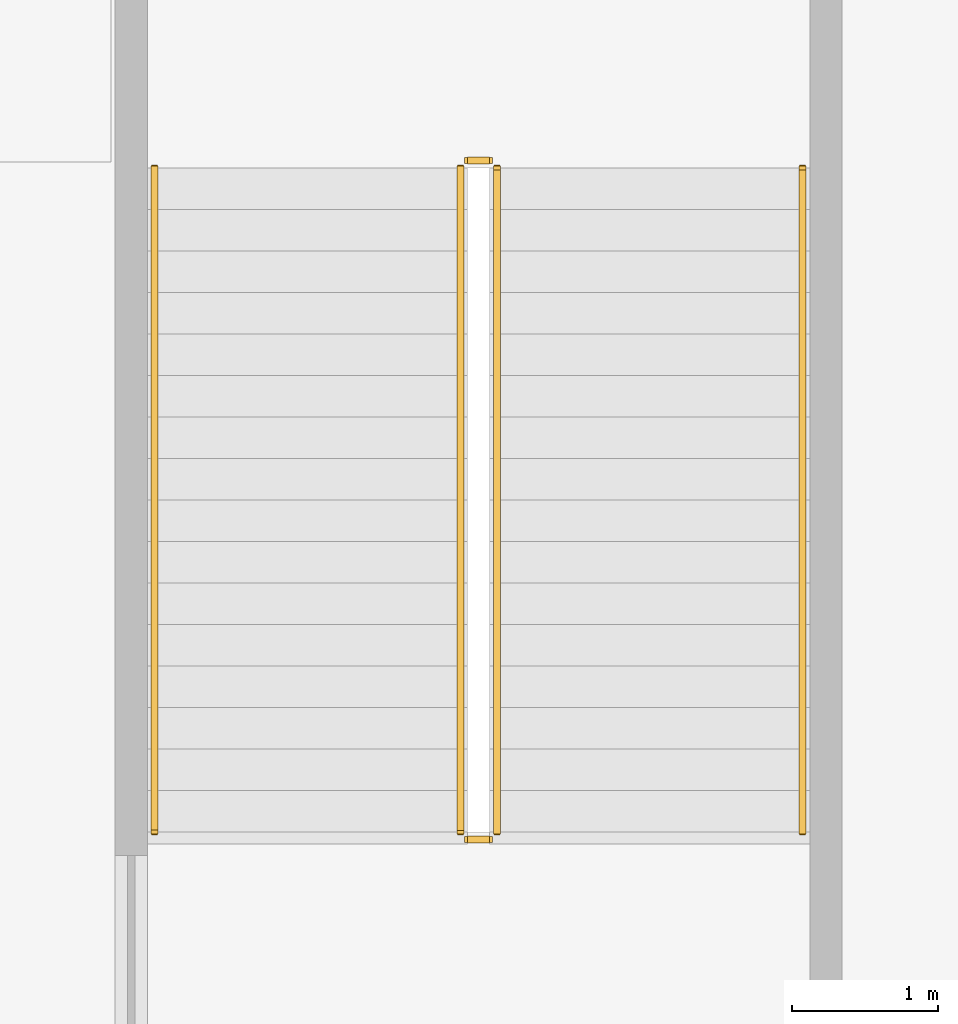
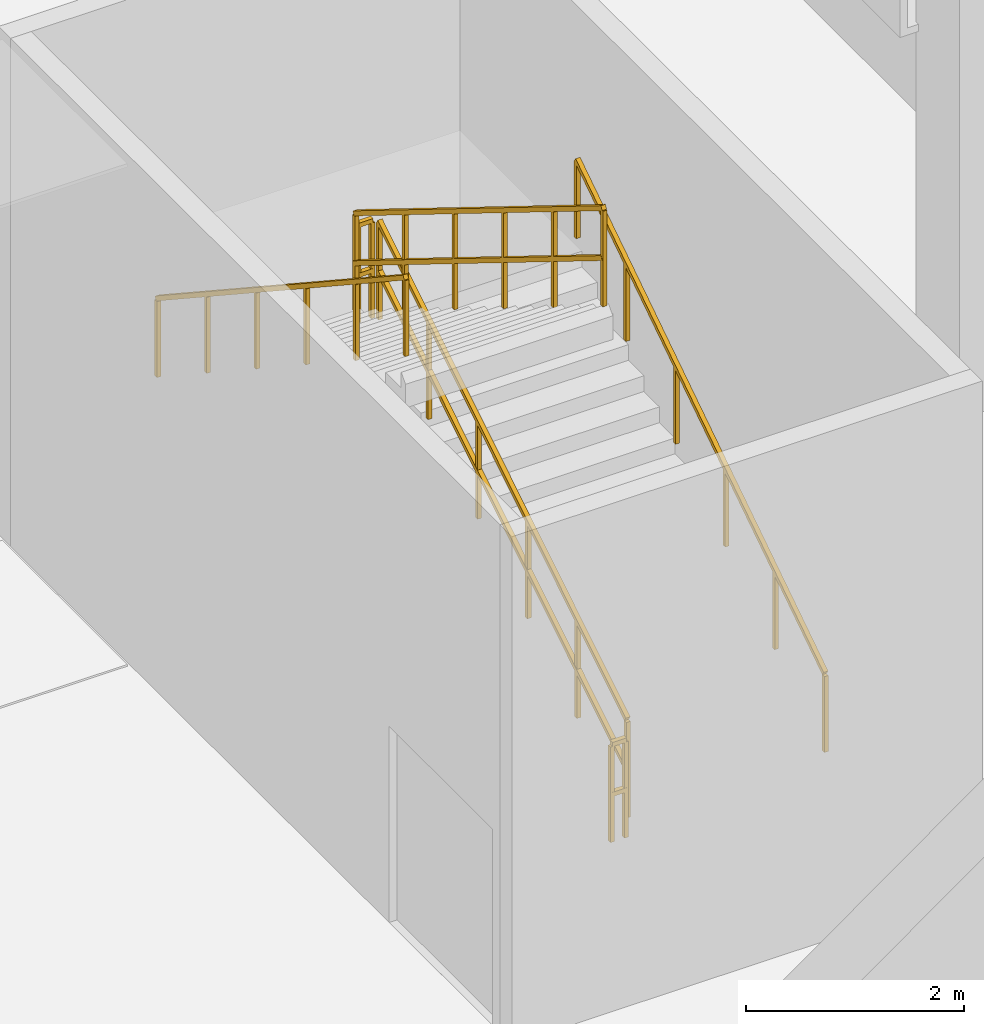
# One storey, part 22 of 24: 6 railings.
"""IFC4 building model written with IfcOpenShell, lengths in metres."""

from ifc_helpers import new_model, si_unit, direction, frame, origin, origin_2d, place, context, subcontext, project, spatial, rectangle, extrude, material, type_object, element, save


model = new_model("IFC4")

# Units and contexts
model_context = context("Model", 3, precision=1e-05, world=origin(), true_north=direction((0.0, 1.0)))
body_context = subcontext(model_context, "Body", "Model", "MODEL_VIEW")
ifc_project = project(units=[si_unit("LENGTHUNIT", "METRE"), si_unit("AREAUNIT", "SQUARE_METRE"), si_unit("VOLUMEUNIT", "CUBIC_METRE"), si_unit("PLANEANGLEUNIT", "RADIAN"), si_unit("MASSUNIT", "GRAM", prefix="KILO")], contexts=[model_context])

# Site, building, storey
site_placement = place(None, origin())
site = spatial("IfcSite", under=ifc_project, at=site_placement, CompositionType="ELEMENT")
building_placement = place(site_placement, origin())
building = spatial("IfcBuilding", under=site, at=building_placement, Name="Apsidion Concourse Tower", CompositionType="ELEMENT")
storey_placement = place(building_placement, frame((0.0, 0.0, 17.5)))
storey = spatial("IfcBuildingStorey", under=building, at=storey_placement, Name="L03", CompositionType="ELEMENT", Elevation=17.5)

# Railings
ifc_material = material(Name="Brushed stainless steel 316", Category="steel")
railing_type_1 = type_object("IfcRailingType", Name="RL-GUARD-1100", PredefinedType="GUARDRAIL", material=ifc_material)
railing_1_placement = place(storey_placement, frame((32.050048828125, -22.60009765625, 0.176513671875)))
element("IfcRailing", 1, at=railing_1_placement, inside=storey, type_object=railing_type_1, Name="L03 ST-P2 stair guard 1", PredefinedType="GUARDRAIL", context=body_context, shape_type="SweptSolid", body=[
    extrude(rectangle(XDim=0.048095703125, YDim=0.048095703125, at=origin_2d()), frame((0.0, 0.0, 1.09619140625), z_axis=(0.0, 0.850215668316, 0.526434532824), x_axis=(-1.0, 0.0, 0.0)), (0.0, 0.0, 1.0), 5.363525390625),
    extrude(rectangle(XDim=0.048095703125, YDim=0.048095703125, at=origin_2d()), frame((0.0, 0.0, 0.5361328125), z_axis=(0.0, 0.850215668316, 0.526434532824), x_axis=(-1.0, 0.0, 0.0)), (0.0, 0.0, 1.0), 5.363525390625),
    extrude(rectangle(XDim=0.0419921875, YDim=0.0419921875, at=origin_2d()), origin(), (0.0, 0.0, 1.0), 1.072021484375),
    extrude(rectangle(XDim=0.0419921875, YDim=0.0419921875, at=origin_2d()), frame((0.0, 0.912109375, 0.564697265625)), (0.0, 0.0, 1.0), 1.072021484375),
    extrude(rectangle(XDim=0.0419921875, YDim=0.0419921875, at=origin_2d()), frame((0.0, 1.823974609375, 1.12939453125)), (0.0, 0.0, 1.0), 1.072021484375),
    extrude(rectangle(XDim=0.0419921875, YDim=0.0419921875, at=origin_2d()), frame((0.0, 2.736083984375, 1.694091796875)), (0.0, 0.0, 1.0), 1.072021484375),
    extrude(rectangle(XDim=0.0419921875, YDim=0.0419921875, at=origin_2d()), frame((0.0, 3.64794921875, 2.2587890625)), (0.0, 0.0, 1.0), 1.072021484375),
    extrude(rectangle(XDim=0.0419921875, YDim=0.0419921875, at=origin_2d()), frame((0.0, 4.56005859375, 2.823486328125)), (0.0, 0.0, 1.0), 1.072021484375),
])
railing_2_placement = place(storey_placement, frame((32.0, -17.989990234375, 3.0)))
element("IfcRailing", 2, at=railing_2_placement, inside=storey, type_object=railing_type_1, Name="L03 ST-P2 stair guard 2", PredefinedType="GUARDRAIL", context=body_context, shape_type="SweptSolid", body=[
    extrude(rectangle(XDim=0.048095703125, YDim=0.048095703125, at=origin_2d()), frame((0.0, 0.0, 1.09619140625), z_axis=(-1.0, 0.0, 0.0), x_axis=(0.0, -1.0, 0.0)), (0.0, 0.0, 1.0), 0.14990234375),
    extrude(rectangle(XDim=0.048095703125, YDim=0.048095703125, at=origin_2d()), frame((0.0, 0.0, 0.5361328125), z_axis=(-1.0, 0.0, 0.0), x_axis=(0.0, -1.0, 0.0)), (0.0, 0.0, 1.0), 0.14990234375),
    extrude(rectangle(XDim=0.0419921875, YDim=0.0419921875, at=origin_2d()), origin(), (0.0, 0.0, 1.0), 1.072021484375),
    extrude(rectangle(XDim=0.0419921875, YDim=0.0419921875, at=origin_2d()), frame((-0.14990234375, 0.0, 0.0)), (0.0, 0.0, 1.0), 1.072021484375),
])
railing_3_placement = place(storey_placement, frame((31.800048828125, -18.0400390625, 3.176513671875)))
element("IfcRailing", 3, at=railing_3_placement, inside=storey, type_object=railing_type_1, Name="L03 ST-P2 stair guard 3", PredefinedType="GUARDRAIL", context=body_context, shape_type="SweptSolid", body=[
    extrude(rectangle(XDim=0.048095703125, YDim=0.048095703125, at=origin_2d()), frame((0.0, 0.0, 1.09619140625), z_axis=(0.0, -0.850215668316, 0.526434532824), x_axis=(1.0, 0.0, 0.0)), (0.0, 0.0, 1.0), 5.363525390625),
    extrude(rectangle(XDim=0.048095703125, YDim=0.048095703125, at=origin_2d()), frame((0.0, 0.0, 0.5361328125), z_axis=(0.0, -0.850215668316, 0.526434532824), x_axis=(1.0, 0.0, 0.0)), (0.0, 0.0, 1.0), 5.363525390625),
    extrude(rectangle(XDim=0.0419921875, YDim=0.0419921875, at=origin_2d()), origin(), (0.0, 0.0, 1.0), 1.072021484375),
    extrude(rectangle(XDim=0.0419921875, YDim=0.0419921875, at=origin_2d()), frame((0.0, -0.912109375, 0.564697265625)), (0.0, 0.0, 1.0), 1.072021484375),
    extrude(rectangle(XDim=0.0419921875, YDim=0.0419921875, at=origin_2d()), frame((0.0, -1.823974609375, 1.12939453125)), (0.0, 0.0, 1.0), 1.072021484375),
    extrude(rectangle(XDim=0.0419921875, YDim=0.0419921875, at=origin_2d()), frame((0.0, -2.736083984375, 1.694091796875)), (0.0, 0.0, 1.0), 1.072021484375),
    extrude(rectangle(XDim=0.0419921875, YDim=0.0419921875, at=origin_2d()), frame((0.0, -3.64794921875, 2.2587890625)), (0.0, 0.0, 1.0), 1.072021484375),
    extrude(rectangle(XDim=0.0419921875, YDim=0.0419921875, at=origin_2d()), frame((0.0, -4.56005859375, 2.823486328125)), (0.0, 0.0, 1.0), 1.072021484375),
])
railing_4_placement = place(storey_placement, frame((32.0, -22.64990234375, 0.0)))
element("IfcRailing", 4, at=railing_4_placement, inside=storey, type_object=railing_type_1, Name="L03 ST-P2 stair guard 4", PredefinedType="GUARDRAIL", context=body_context, shape_type="SweptSolid", body=[
    extrude(rectangle(XDim=0.048095703125, YDim=0.048095703125, at=origin_2d()), frame((0.0, 0.0, 1.09619140625), z_axis=(-1.0, 0.0, 0.0), x_axis=(0.0, -1.0, 0.0)), (0.0, 0.0, 1.0), 0.14990234375),
    extrude(rectangle(XDim=0.048095703125, YDim=0.048095703125, at=origin_2d()), frame((0.0, 0.0, 0.5361328125), z_axis=(-1.0, 0.0, 0.0), x_axis=(0.0, -1.0, 0.0)), (0.0, 0.0, 1.0), 0.14990234375),
    extrude(rectangle(XDim=0.0419921875, YDim=0.0419921875, at=origin_2d()), origin(), (0.0, 0.0, 1.0), 1.072021484375),
    extrude(rectangle(XDim=0.0419921875, YDim=0.0419921875, at=origin_2d()), frame((-0.14990234375, 0.0, 0.0)), (0.0, 0.0, 1.0), 1.072021484375),
])
railing_type_2 = type_object("IfcRailingType", Name="RL-HAND-900", PredefinedType="HANDRAIL", material=ifc_material)
railing_5_placement = place(storey_placement, frame((34.14990234375, -22.60009765625, 0.176513671875)))
element("IfcRailing", 5, at=railing_5_placement, inside=storey, type_object=railing_type_2, Name="L03 ST-P2 stair handrail 1", PredefinedType="HANDRAIL", context=body_context, shape_type="SweptSolid", body=[
    extrude(rectangle(XDim=0.048095703125, YDim=0.048095703125, at=origin_2d()), frame((0.0, 0.0, 0.8759765625), z_axis=(0.0, 0.835420324919, 0.549611572578), x_axis=(-1.0, 0.0, 0.0)), (0.0, 0.0, 1.0), 5.45849609375),
    extrude(rectangle(XDim=0.0419921875, YDim=0.0419921875, at=origin_2d()), origin(), (0.0, 0.0, 1.0), 0.851806640625),
    extrude(rectangle(XDim=0.0419921875, YDim=0.0419921875, at=origin_2d()), frame((0.0, 0.912109375, 0.60009765625)), (0.0, 0.0, 1.0), 0.851806640625),
    extrude(rectangle(XDim=0.0419921875, YDim=0.0419921875, at=origin_2d()), frame((0.0, 1.823974609375, 1.199951171875)), (0.0, 0.0, 1.0), 0.851806640625),
    extrude(rectangle(XDim=0.0419921875, YDim=0.0419921875, at=origin_2d()), frame((0.0, 2.736083984375, 1.800048828125)), (0.0, 0.0, 1.0), 0.851806640625),
    extrude(rectangle(XDim=0.0419921875, YDim=0.0419921875, at=origin_2d()), frame((0.0, 3.64794921875, 2.39990234375)), (0.0, 0.0, 1.0), 0.851806640625),
    extrude(rectangle(XDim=0.0419921875, YDim=0.0419921875, at=origin_2d()), frame((0.0, 4.56005859375, 3.0)), (0.0, 0.0, 1.0), 0.851806640625),
])
railing_6_placement = place(storey_placement, frame((29.699951171875, -18.0400390625, 3.176513671875)))
element("IfcRailing", 6, at=railing_6_placement, inside=storey, type_object=railing_type_2, Name="L03 ST-P2 stair handrail 2", PredefinedType="HANDRAIL", context=body_context, shape_type="SweptSolid", body=[
    extrude(rectangle(XDim=0.048095703125, YDim=0.048095703125, at=origin_2d()), frame((0.0, 0.0, 0.8759765625), z_axis=(0.0, -0.835420324919, 0.549611572578), x_axis=(1.0, 0.0, 0.0)), (0.0, 0.0, 1.0), 5.45849609375),
    extrude(rectangle(XDim=0.0419921875, YDim=0.0419921875, at=origin_2d()), origin(), (0.0, 0.0, 1.0), 0.851806640625),
    extrude(rectangle(XDim=0.0419921875, YDim=0.0419921875, at=origin_2d()), frame((0.0, -0.912109375, 0.60009765625)), (0.0, 0.0, 1.0), 0.851806640625),
    extrude(rectangle(XDim=0.0419921875, YDim=0.0419921875, at=origin_2d()), frame((0.0, -1.823974609375, 1.199951171875)), (0.0, 0.0, 1.0), 0.851806640625),
    extrude(rectangle(XDim=0.0419921875, YDim=0.0419921875, at=origin_2d()), frame((0.0, -2.736083984375, 1.800048828125)), (0.0, 0.0, 1.0), 0.851806640625),
    extrude(rectangle(XDim=0.0419921875, YDim=0.0419921875, at=origin_2d()), frame((0.0, -3.64794921875, 2.39990234375)), (0.0, 0.0, 1.0), 0.851806640625),
    extrude(rectangle(XDim=0.0419921875, YDim=0.0419921875, at=origin_2d()), frame((0.0, -4.56005859375, 3.0)), (0.0, 0.0, 1.0), 0.851806640625),
])

save(model, "model.ifc")
